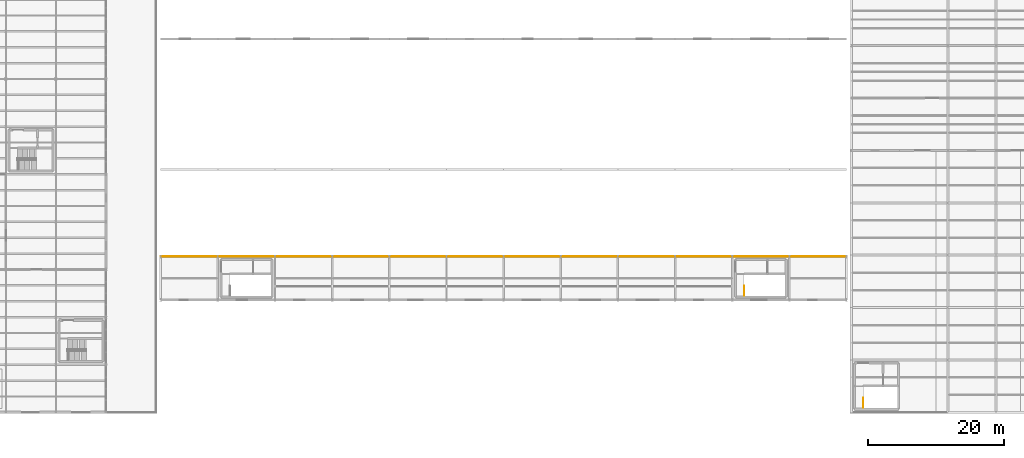
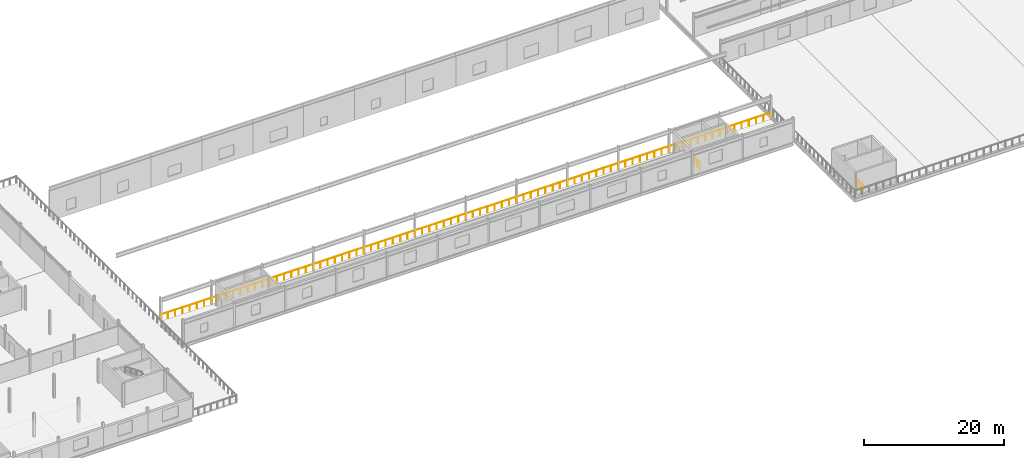
# One storey, part 38 of 39: 3 railings.
"""IFC4 building model written with IfcOpenShell, lengths in metres."""

from ifc_helpers import new_model, si_unit, direction, frame, origin, origin_2d, place, context, subcontext, project, spatial, circle, extrude, material, type_object, element, save


model = new_model("IFC4")

# Units and contexts
model_context = context("Model", 3, precision=1e-05, world=origin(), true_north=direction((0.0, 1.0)))
body_context = subcontext(model_context, "Body", "Model", "MODEL_VIEW")
ifc_project = project(units=[si_unit("LENGTHUNIT", "METRE"), si_unit("AREAUNIT", "SQUARE_METRE"), si_unit("VOLUMEUNIT", "CUBIC_METRE"), si_unit("PLANEANGLEUNIT", "RADIAN"), si_unit("MASSUNIT", "GRAM", prefix="KILO")], contexts=[model_context])

# Site, building, storey
site_placement = place(None, origin())
site = spatial("IfcSite", under=ifc_project, at=site_placement, CompositionType="ELEMENT")
building_placement = place(site_placement, origin())
building = spatial("IfcBuilding", under=site, at=building_placement, Name="Kazenagashi Tramway Depot", CompositionType="ELEMENT")
storey_placement = place(building_placement, frame((0.0, 0.0, 11.1)))
storey = spatial("IfcBuildingStorey", under=building, at=storey_placement, Name="L03", CompositionType="ELEMENT", Elevation=11.1)

# Railings
ifc_material = material(Name="Galvanised Painted Steel Balustrade", Category="steel")
railing_type = type_object("IfcRailingType", Name="GR-01", PredefinedType="GUARDRAIL", material=ifc_material)
for number, where, name in (
    (1, (130.56, 17.17, 0.0), "Stairwell ST-21 Arrival Guardrail"),
    (2, (148.06, 0.67, 0.0), "Stairwell ST-24 Arrival Guardrail"),
):
    element("IfcRailing", number, at=place(storey_placement, frame(where)), inside=storey, type_object=railing_type, Name=name, PredefinedType="GUARDRAIL", context=body_context, shape_type="SweptSolid", body=[
        extrude(circle(Radius=0.024, at=origin_2d()), frame((0.0, 0.0, 1.156), z_axis=(0.0, 1.0, 0.0), x_axis=(-1.0, 0.0, 0.0)), (0.0, 0.0, 1.0), 1.45),
        extrude(circle(Radius=0.021, at=origin_2d()), origin(), (0.0, 0.0, 1.0), 1.132),
        extrude(circle(Radius=0.021, at=origin_2d()), frame((0.0, 0.725, 0.0)), (0.0, 0.0, 1.0), 1.132),
        extrude(circle(Radius=0.021, at=origin_2d()), frame((0.0, 1.45, 0.0)), (0.0, 0.0, 1.0), 1.132),
    ])
railing_placement = place(storey_placement, frame((44.8, 22.9, 0.0)))
element("IfcRailing", 3, at=railing_placement, inside=storey, type_object=railing_type, Name="Viewing Gallery Overlook Guardrail", PredefinedType="GUARDRAIL", context=body_context, shape_type="SweptSolid", body=[
    extrude(circle(Radius=0.024, at=origin_2d()), frame((0.0, 0.0, 1.126), z_axis=(1.0, 0.0, 0.0), x_axis=(0.0, 1.0, 0.0)), (0.0, 0.0, 1.0), 100.8),
    extrude(circle(Radius=0.021, at=origin_2d()), origin(), (0.0, 0.0, 1.0), 1.102),
    extrude(circle(Radius=0.021, at=origin_2d()), frame((1.2, 0.0, 0.0)), (0.0, 0.0, 1.0), 1.102),
    extrude(circle(Radius=0.021, at=origin_2d()), frame((2.4, 0.0, 0.0)), (0.0, 0.0, 1.0), 1.102),
    extrude(circle(Radius=0.021, at=origin_2d()), frame((3.6, 0.0, 0.0)), (0.0, 0.0, 1.0), 1.102),
    extrude(circle(Radius=0.021, at=origin_2d()), frame((4.8, 0.0, 0.0)), (0.0, 0.0, 1.0), 1.102),
    extrude(circle(Radius=0.021, at=origin_2d()), frame((6.0, 0.0, 0.0)), (0.0, 0.0, 1.0), 1.102),
    extrude(circle(Radius=0.021, at=origin_2d()), frame((7.2, 0.0, 0.0)), (0.0, 0.0, 1.0), 1.102),
    extrude(circle(Radius=0.021, at=origin_2d()), frame((8.4, 0.0, 0.0)), (0.0, 0.0, 1.0), 1.102),
    extrude(circle(Radius=0.021, at=origin_2d()), frame((9.6, 0.0, 0.0)), (0.0, 0.0, 1.0), 1.102),
    extrude(circle(Radius=0.021, at=origin_2d()), frame((10.8, 0.0, 0.0)), (0.0, 0.0, 1.0), 1.102),
    extrude(circle(Radius=0.021, at=origin_2d()), frame((12.0, 0.0, 0.0)), (0.0, 0.0, 1.0), 1.102),
    extrude(circle(Radius=0.021, at=origin_2d()), frame((13.2, 0.0, 0.0)), (0.0, 0.0, 1.0), 1.102),
    extrude(circle(Radius=0.021, at=origin_2d()), frame((14.4, 0.0, 0.0)), (0.0, 0.0, 1.0), 1.102),
    extrude(circle(Radius=0.021, at=origin_2d()), frame((15.6, 0.0, 0.0)), (0.0, 0.0, 1.0), 1.102),
    extrude(circle(Radius=0.021, at=origin_2d()), frame((16.8, 0.0, 0.0)), (0.0, 0.0, 1.0), 1.102),
    extrude(circle(Radius=0.021, at=origin_2d()), frame((18.0, 0.0, 0.0)), (0.0, 0.0, 1.0), 1.102),
    extrude(circle(Radius=0.021, at=origin_2d()), frame((19.2, 0.0, 0.0)), (0.0, 0.0, 1.0), 1.102),
    extrude(circle(Radius=0.021, at=origin_2d()), frame((20.4, 0.0, 0.0)), (0.0, 0.0, 1.0), 1.102),
    extrude(circle(Radius=0.021, at=origin_2d()), frame((21.6, 0.0, 0.0)), (0.0, 0.0, 1.0), 1.102),
    extrude(circle(Radius=0.021, at=origin_2d()), frame((22.8, 0.0, 0.0)), (0.0, 0.0, 1.0), 1.102),
    extrude(circle(Radius=0.021, at=origin_2d()), frame((24.0, 0.0, 0.0)), (0.0, 0.0, 1.0), 1.102),
    extrude(circle(Radius=0.021, at=origin_2d()), frame((25.2, 0.0, 0.0)), (0.0, 0.0, 1.0), 1.102),
    extrude(circle(Radius=0.021, at=origin_2d()), frame((26.4, 0.0, 0.0)), (0.0, 0.0, 1.0), 1.102),
    extrude(circle(Radius=0.021, at=origin_2d()), frame((27.6, 0.0, 0.0)), (0.0, 0.0, 1.0), 1.102),
    extrude(circle(Radius=0.021, at=origin_2d()), frame((28.8, 0.0, 0.0)), (0.0, 0.0, 1.0), 1.102),
    extrude(circle(Radius=0.021, at=origin_2d()), frame((30.0, 0.0, 0.0)), (0.0, 0.0, 1.0), 1.102),
    extrude(circle(Radius=0.021, at=origin_2d()), frame((31.2, 0.0, 0.0)), (0.0, 0.0, 1.0), 1.102),
    extrude(circle(Radius=0.021, at=origin_2d()), frame((32.4, 0.0, 0.0)), (0.0, 0.0, 1.0), 1.102),
    extrude(circle(Radius=0.021, at=origin_2d()), frame((33.6, 0.0, 0.0)), (0.0, 0.0, 1.0), 1.102),
    extrude(circle(Radius=0.021, at=origin_2d()), frame((34.8, 0.0, 0.0)), (0.0, 0.0, 1.0), 1.102),
    extrude(circle(Radius=0.021, at=origin_2d()), frame((36.0, 0.0, 0.0)), (0.0, 0.0, 1.0), 1.102),
    extrude(circle(Radius=0.021, at=origin_2d()), frame((37.2, 0.0, 0.0)), (0.0, 0.0, 1.0), 1.102),
    extrude(circle(Radius=0.021, at=origin_2d()), frame((38.4, 0.0, 0.0)), (0.0, 0.0, 1.0), 1.102),
    extrude(circle(Radius=0.021, at=origin_2d()), frame((39.6, 0.0, 0.0)), (0.0, 0.0, 1.0), 1.102),
    extrude(circle(Radius=0.021, at=origin_2d()), frame((40.8, 0.0, 0.0)), (0.0, 0.0, 1.0), 1.102),
    extrude(circle(Radius=0.021, at=origin_2d()), frame((42.0, 0.0, 0.0)), (0.0, 0.0, 1.0), 1.102),
    extrude(circle(Radius=0.021, at=origin_2d()), frame((43.2, 0.0, 0.0)), (0.0, 0.0, 1.0), 1.102),
    extrude(circle(Radius=0.021, at=origin_2d()), frame((44.4, 0.0, 0.0)), (0.0, 0.0, 1.0), 1.102),
    extrude(circle(Radius=0.021, at=origin_2d()), frame((45.6, 0.0, 0.0)), (0.0, 0.0, 1.0), 1.102),
    extrude(circle(Radius=0.021, at=origin_2d()), frame((46.8, 0.0, 0.0)), (0.0, 0.0, 1.0), 1.102),
    extrude(circle(Radius=0.021, at=origin_2d()), frame((48.0, 0.0, 0.0)), (0.0, 0.0, 1.0), 1.102),
    extrude(circle(Radius=0.021, at=origin_2d()), frame((49.2, 0.0, 0.0)), (0.0, 0.0, 1.0), 1.102),
    extrude(circle(Radius=0.021, at=origin_2d()), frame((50.4, 0.0, 0.0)), (0.0, 0.0, 1.0), 1.102),
    extrude(circle(Radius=0.021, at=origin_2d()), frame((51.6, 0.0, 0.0)), (0.0, 0.0, 1.0), 1.102),
    extrude(circle(Radius=0.021, at=origin_2d()), frame((52.8, 0.0, 0.0)), (0.0, 0.0, 1.0), 1.102),
    extrude(circle(Radius=0.021, at=origin_2d()), frame((54.0, 0.0, 0.0)), (0.0, 0.0, 1.0), 1.102),
    extrude(circle(Radius=0.021, at=origin_2d()), frame((55.2, 0.0, 0.0)), (0.0, 0.0, 1.0), 1.102),
    extrude(circle(Radius=0.021, at=origin_2d()), frame((56.4, 0.0, 0.0)), (0.0, 0.0, 1.0), 1.102),
    extrude(circle(Radius=0.021, at=origin_2d()), frame((57.6, 0.0, 0.0)), (0.0, 0.0, 1.0), 1.102),
    extrude(circle(Radius=0.021, at=origin_2d()), frame((58.8, 0.0, 0.0)), (0.0, 0.0, 1.0), 1.102),
    extrude(circle(Radius=0.021, at=origin_2d()), frame((60.0, 0.0, 0.0)), (0.0, 0.0, 1.0), 1.102),
    extrude(circle(Radius=0.021, at=origin_2d()), frame((61.2, 0.0, 0.0)), (0.0, 0.0, 1.0), 1.102),
    extrude(circle(Radius=0.021, at=origin_2d()), frame((62.4, 0.0, 0.0)), (0.0, 0.0, 1.0), 1.102),
    extrude(circle(Radius=0.021, at=origin_2d()), frame((63.6, 0.0, 0.0)), (0.0, 0.0, 1.0), 1.102),
    extrude(circle(Radius=0.021, at=origin_2d()), frame((64.8, 0.0, 0.0)), (0.0, 0.0, 1.0), 1.102),
    extrude(circle(Radius=0.021, at=origin_2d()), frame((66.0, 0.0, 0.0)), (0.0, 0.0, 1.0), 1.102),
    extrude(circle(Radius=0.021, at=origin_2d()), frame((67.2, 0.0, 0.0)), (0.0, 0.0, 1.0), 1.102),
    extrude(circle(Radius=0.021, at=origin_2d()), frame((68.4, 0.0, 0.0)), (0.0, 0.0, 1.0), 1.102),
    extrude(circle(Radius=0.021, at=origin_2d()), frame((69.6, 0.0, 0.0)), (0.0, 0.0, 1.0), 1.102),
    extrude(circle(Radius=0.021, at=origin_2d()), frame((70.8, 0.0, 0.0)), (0.0, 0.0, 1.0), 1.102),
    extrude(circle(Radius=0.021, at=origin_2d()), frame((72.0, 0.0, 0.0)), (0.0, 0.0, 1.0), 1.102),
    extrude(circle(Radius=0.021, at=origin_2d()), frame((73.2, 0.0, 0.0)), (0.0, 0.0, 1.0), 1.102),
    extrude(circle(Radius=0.021, at=origin_2d()), frame((74.4, 0.0, 0.0)), (0.0, 0.0, 1.0), 1.102),
    extrude(circle(Radius=0.021, at=origin_2d()), frame((75.6, 0.0, 0.0)), (0.0, 0.0, 1.0), 1.102),
    extrude(circle(Radius=0.021, at=origin_2d()), frame((76.8, 0.0, 0.0)), (0.0, 0.0, 1.0), 1.102),
    extrude(circle(Radius=0.021, at=origin_2d()), frame((78.0, 0.0, 0.0)), (0.0, 0.0, 1.0), 1.102),
    extrude(circle(Radius=0.021, at=origin_2d()), frame((79.2, 0.0, 0.0)), (0.0, 0.0, 1.0), 1.102),
    extrude(circle(Radius=0.021, at=origin_2d()), frame((80.4, 0.0, 0.0)), (0.0, 0.0, 1.0), 1.102),
    extrude(circle(Radius=0.021, at=origin_2d()), frame((81.6, 0.0, 0.0)), (0.0, 0.0, 1.0), 1.102),
    extrude(circle(Radius=0.021, at=origin_2d()), frame((82.8, 0.0, 0.0)), (0.0, 0.0, 1.0), 1.102),
    extrude(circle(Radius=0.021, at=origin_2d()), frame((84.0, 0.0, 0.0)), (0.0, 0.0, 1.0), 1.102),
    extrude(circle(Radius=0.021, at=origin_2d()), frame((85.2, 0.0, 0.0)), (0.0, 0.0, 1.0), 1.102),
    extrude(circle(Radius=0.021, at=origin_2d()), frame((86.4, 0.0, 0.0)), (0.0, 0.0, 1.0), 1.102),
    extrude(circle(Radius=0.021, at=origin_2d()), frame((87.6, 0.0, 0.0)), (0.0, 0.0, 1.0), 1.102),
    extrude(circle(Radius=0.021, at=origin_2d()), frame((88.8, 0.0, 0.0)), (0.0, 0.0, 1.0), 1.102),
    extrude(circle(Radius=0.021, at=origin_2d()), frame((90.0, 0.0, 0.0)), (0.0, 0.0, 1.0), 1.102),
    extrude(circle(Radius=0.021, at=origin_2d()), frame((91.2, 0.0, 0.0)), (0.0, 0.0, 1.0), 1.102),
    extrude(circle(Radius=0.021, at=origin_2d()), frame((92.4, 0.0, 0.0)), (0.0, 0.0, 1.0), 1.102),
    extrude(circle(Radius=0.021, at=origin_2d()), frame((93.6, 0.0, 0.0)), (0.0, 0.0, 1.0), 1.102),
    extrude(circle(Radius=0.021, at=origin_2d()), frame((94.8, 0.0, 0.0)), (0.0, 0.0, 1.0), 1.102),
    extrude(circle(Radius=0.021, at=origin_2d()), frame((96.0, 0.0, 0.0)), (0.0, 0.0, 1.0), 1.102),
    extrude(circle(Radius=0.021, at=origin_2d()), frame((97.2, 0.0, 0.0)), (0.0, 0.0, 1.0), 1.102),
    extrude(circle(Radius=0.021, at=origin_2d()), frame((98.4, 0.0, 0.0)), (0.0, 0.0, 1.0), 1.102),
    extrude(circle(Radius=0.021, at=origin_2d()), frame((99.6, 0.0, 0.0)), (0.0, 0.0, 1.0), 1.102),
    extrude(circle(Radius=0.021, at=origin_2d()), frame((100.8, 0.0, 0.0)), (0.0, 0.0, 1.0), 1.102),
])

save(model, "model.ifc")
